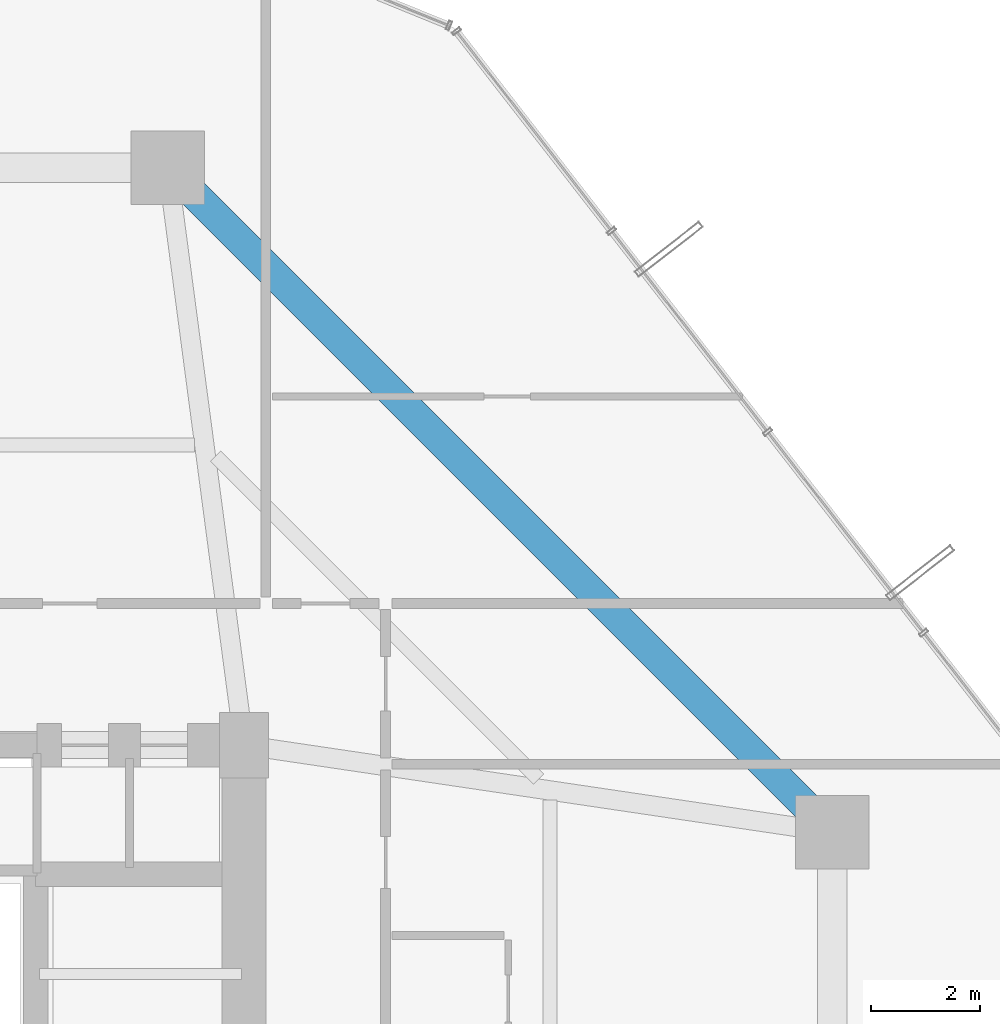
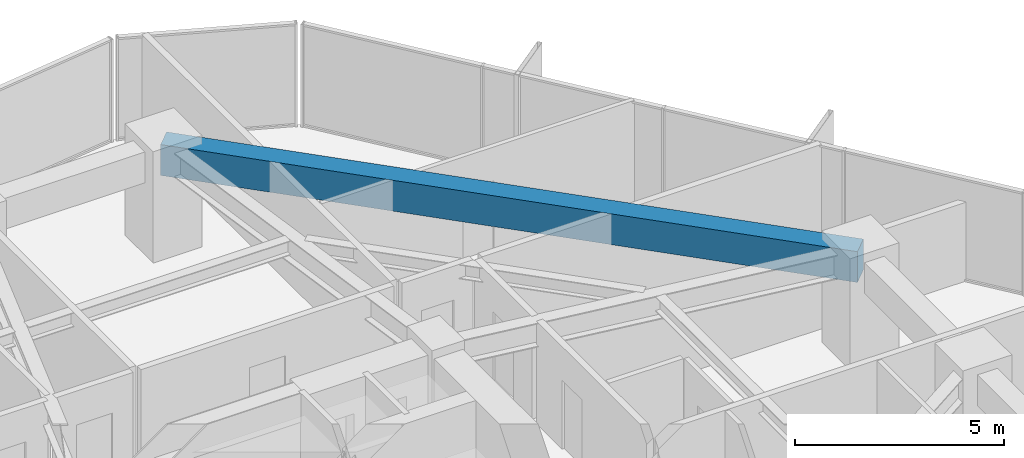
# One storey, part 28 of 37: 1 beam.
"""IFC4 building model written with IfcOpenShell, lengths in metres."""

from ifc_helpers import new_model, si_unit, direction, frame, origin, origin_2d, place, context, subcontext, project, spatial, rectangle, extrude, material, material_profile, profile_set, type_object, element, save


model = new_model("IFC4")

# Units and contexts
model_context = context("Model", 3, precision=1e-05, world=origin(), true_north=direction((0.0, 1.0)))
body_context = subcontext(model_context, "Body", "Model", "MODEL_VIEW")
ifc_project = project(units=[si_unit("LENGTHUNIT", "METRE"), si_unit("AREAUNIT", "SQUARE_METRE"), si_unit("VOLUMEUNIT", "CUBIC_METRE"), si_unit("PLANEANGLEUNIT", "RADIAN"), si_unit("MASSUNIT", "GRAM", prefix="KILO")], contexts=[model_context])

# Site, building, storey
site_placement = place(None, origin())
site = spatial("IfcSite", under=ifc_project, at=site_placement, CompositionType="ELEMENT")
building_placement = place(site_placement, origin())
building = spatial("IfcBuilding", under=site, at=building_placement, Name="Veraguas Prism Commons", CompositionType="ELEMENT")
storey_placement = place(building_placement, frame((0.0, 0.0, 50.050048828125)))
storey = spatial("IfcBuildingStorey", under=building, at=storey_placement, Name="L13", CompositionType="ELEMENT", Elevation=50.050048828125)

# Beam
ifc_material = material(Name="Concrete C50/60", Category="concrete")
ifc_material_profile = material_profile(ifc_material, rectangle(XDim=0.550048828125, YDim=0.89990234375, at=origin_2d()), Name="RC550X900")
ifc_profile_set = profile_set([ifc_material_profile], Name="Concrete C50/60")
beam_type = type_object("IfcBeamType", Name="Perimeter Spandrel Lower RC 550x900", PredefinedType="SPANDREL", material=ifc_profile_set)
beam_placement = place(storey_placement, frame((41.60009765625, 29.39990234375, 2.550048828125), z_axis=(-0.707106781187, 0.707106781187, 0.0), x_axis=(-0.707106781187, -0.707106781187, 0.0)))
element("IfcBeam", 1, at=beam_placement, inside=storey, type_object=beam_type, Name="Perimeter Spandrel Beam L13-SP03", PredefinedType="SPANDREL", context=body_context, shape_type="SweptSolid", body=[
    extrude(rectangle(XDim=0.550048828125, YDim=0.89990234375, at=origin_2d()), origin(), (0.0, 0.0, 1.0), 17.253662109375),
])

save(model, "model.ifc")
